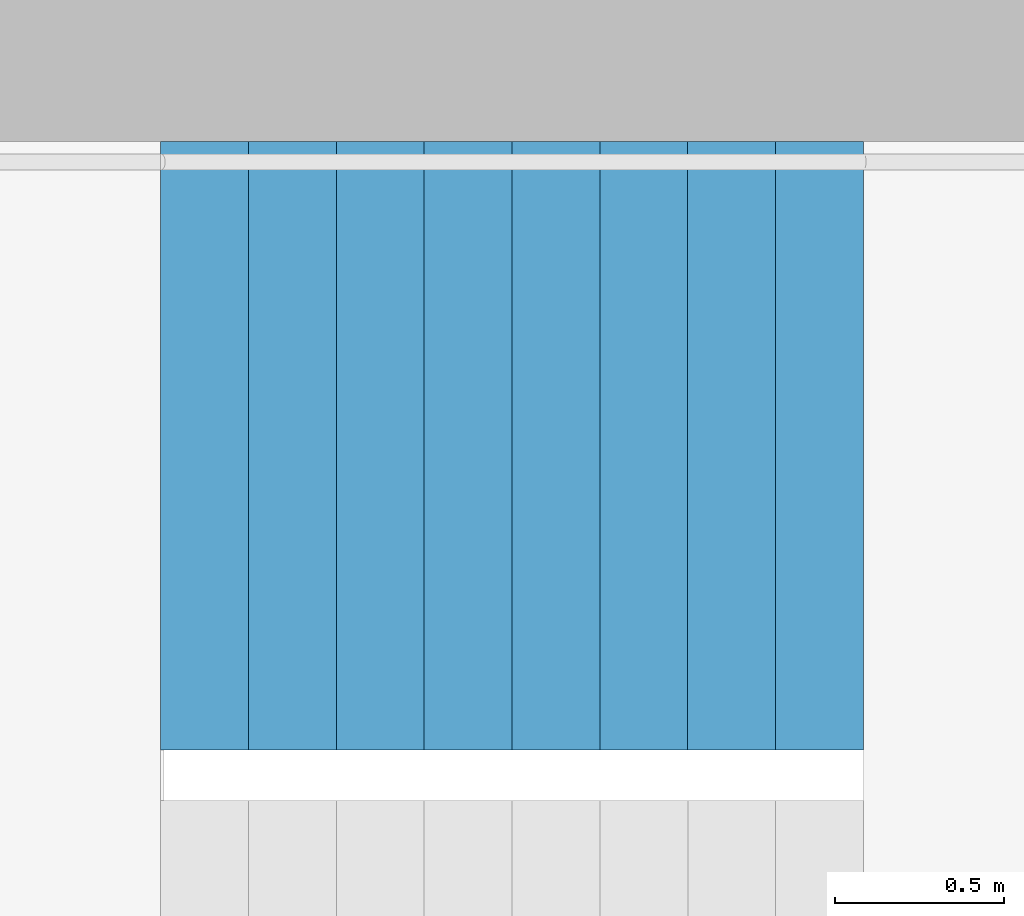
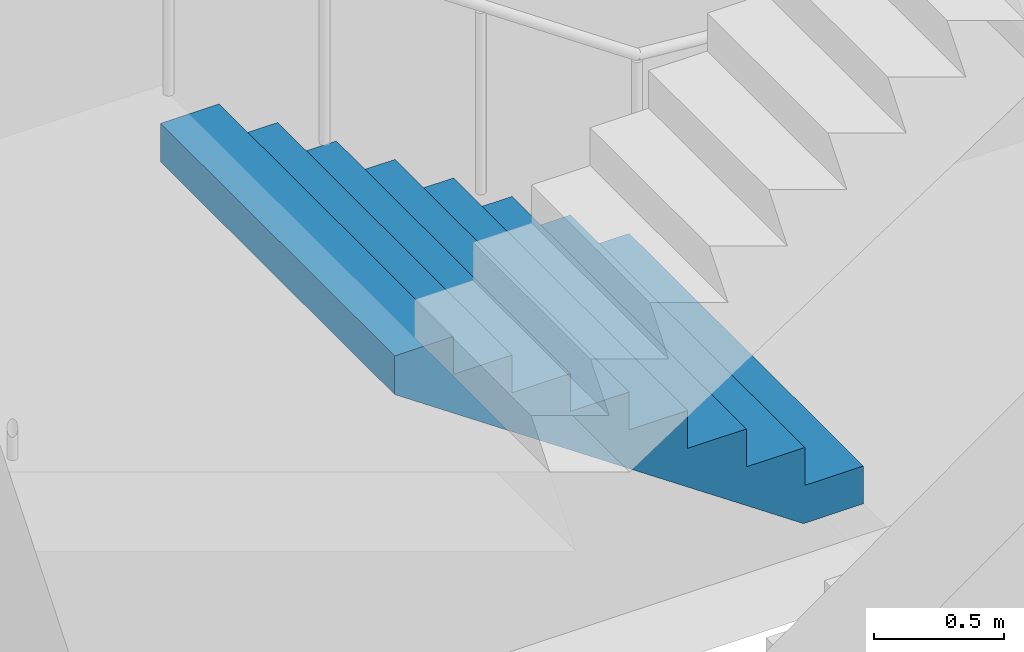
# One storey, part 22 of 42: 1 stair flight, 1 element without a shape of its own.
"""IFC4 building model written with IfcOpenShell, lengths in metres."""

from ifc_helpers import new_model, si_unit, direction, frame, origin, place, context, subcontext, project, spatial, triangles, material, type_object, element, aggregate, save


model = new_model("IFC4")

# Units and contexts
model_context = context("Model", 3, precision=1e-05, world=origin(), true_north=direction((0.0, 1.0)))
body_context = subcontext(model_context, "Body", "Model", "MODEL_VIEW")
ifc_project = project(units=[si_unit("LENGTHUNIT", "METRE"), si_unit("AREAUNIT", "SQUARE_METRE"), si_unit("VOLUMEUNIT", "CUBIC_METRE"), si_unit("PLANEANGLEUNIT", "RADIAN"), si_unit("MASSUNIT", "GRAM", prefix="KILO")], contexts=[model_context])

# Site, building, storey
site_placement = place(None, origin())
site = spatial("IfcSite", under=ifc_project, at=site_placement, CompositionType="ELEMENT")
building_placement = place(site_placement, origin())
building = spatial("IfcBuilding", under=site, at=building_placement, Name="Hakoniwa Tower and Hamabe Station Hall", CompositionType="ELEMENT")
storey_placement = place(building_placement, frame((0.0, 0.0, 232.60009765625)))
storey = spatial("IfcBuildingStorey", under=building, at=storey_placement, Name="L66", CompositionType="ELEMENT", Elevation=232.60009765625)

# Stair, stair flight
ifc_material_1 = material(Name="Concrete C40", Category="concrete")
stair_type = type_object("IfcStairType", Name="ESCAPE STAIR 1800", PredefinedType="HALF_TURN_STAIR", material=ifc_material_1)
stair_placement = place(storey_placement, origin())
stair = element("IfcStair", 1, at=stair_placement, inside=storey, type_object=stair_type, Name="Escape stair ST-1 L66", PredefinedType="HALF_TURN_STAIR")
ifc_material_2 = material(Name="Concrete C40", Category="concrete")
stair_flight_type = type_object("IfcStairFlightType", Name="STAIR FLIGHT 1800", PredefinedType="STRAIGHT", material=ifc_material_2)
stair_flight_placement = place(storey_placement, frame((-22.320068359375, 6.60009765625, 1.599853515625), z_axis=(0.0, 0.0, 1.0), x_axis=(-1.0, 0.0, 0.0)))
stair_flight = element("IfcStairFlight", 2, at=stair_flight_placement, type_object=stair_flight_type, Name="ST-1 flight 2", NumberOfRisers=9, NumberOfTreads=8, PredefinedType="STRAIGHT", RiserHeight=0.177777778, TreadLength=0.26, context=body_context, shape_type="Tessellation", body=[
    triangles([(0.0, 0.89990234375, 0.0), (0.260009765625, 0.89990234375, 0.0), (0.265625, 0.89990234375, 0.0), (0.52001953125, 0.89990234375, 0.174072265625), (0.780029296875, 0.89990234375, 0.351806640625), (1.0400390625, 0.89990234375, 0.529541015625), (1.300048828125, 0.89990234375, 0.707275390625), (1.56005859375, 0.89990234375, 0.885009765625), (1.820068359375, 0.89990234375, 1.062744140625), (2.080078125, 0.89990234375, 1.24072265625), (2.080078125, 0.89990234375, 1.422119140625), (1.820068359375, 0.89990234375, 1.422119140625), (1.820068359375, 0.89990234375, 1.244384765625), (1.56005859375, 0.89990234375, 1.244384765625), (1.56005859375, 0.89990234375, 1.066650390625), (1.300048828125, 0.89990234375, 1.066650390625), (1.300048828125, 0.89990234375, 0.888916015625), (1.0400390625, 0.89990234375, 0.888916015625), (1.0400390625, 0.89990234375, 0.711181640625), (0.780029296875, 0.89990234375, 0.711181640625), (0.780029296875, 0.89990234375, 0.533447265625), (0.52001953125, 0.89990234375, 0.533447265625), (0.52001953125, 0.89990234375, 0.35546875), (0.265625, 0.89990234375, 0.35546875), (0.260009765625, 0.89990234375, 0.35546875), (0.260009765625, 0.89990234375, 0.177734375), (0.0, 0.89990234375, 0.177734375), (0.0, 0.06005859375, 0.0), (0.260009765625, 0.06005859375, 0.0), (0.265625, 0.06005859375, 0.0), (0.52001953125, 0.06005859375, 0.174072265625), (0.780029296875, 0.06005859375, 0.351806640625), (1.0400390625, 0.06005859375, 0.529541015625), (1.300048828125, 0.06005859375, 0.707275390625), (1.56005859375, 0.06005859375, 0.885009765625), (1.820068359375, 0.06005859375, 1.062744140625), (2.080078125, 0.06005859375, 1.24072265625), (2.080078125, 0.06005859375, 1.422119140625), (1.820068359375, 0.06005859375, 1.422119140625), (1.820068359375, 0.06005859375, 1.244384765625), (1.56005859375, 0.06005859375, 1.244384765625), (1.56005859375, 0.06005859375, 1.066650390625), (1.300048828125, 0.06005859375, 1.066650390625), (1.300048828125, 0.06005859375, 0.888916015625), (1.0400390625, 0.06005859375, 0.888916015625), (1.0400390625, 0.06005859375, 0.711181640625), (0.780029296875, 0.06005859375, 0.711181640625), (0.780029296875, 0.06005859375, 0.533447265625), (0.52001953125, 0.06005859375, 0.533447265625), (0.52001953125, 0.06005859375, 0.35546875), (0.265625, 0.06005859375, 0.35546875), (0.260009765625, 0.06005859375, 0.35546875), (0.260009765625, 0.06005859375, 0.177734375), (0.0, 0.06005859375, 0.177734375), (0.0, 0.04296875, 0.0), (0.260009765625, 0.04296875, 0.0), (0.265625, 0.04296875, 0.0), (0.52001953125, 0.04296875, 0.174072265625), (0.780029296875, 0.04296875, 0.351806640625), (1.0400390625, 0.04296875, 0.529541015625), (1.300048828125, 0.04296875, 0.707275390625), (1.56005859375, 0.04296875, 0.885009765625), (1.820068359375, 0.04296875, 1.062744140625), (2.080078125, 0.04296875, 1.24072265625), (2.080078125, 0.04296875, 1.422119140625), (1.820068359375, 0.04296875, 1.422119140625), (1.820068359375, 0.04296875, 1.244384765625), (1.56005859375, 0.04296875, 1.244384765625), (1.56005859375, 0.04296875, 1.066650390625), (1.300048828125, 0.04296875, 1.066650390625), (1.300048828125, 0.04296875, 0.888916015625), (1.0400390625, 0.04296875, 0.888916015625), (1.0400390625, 0.04296875, 0.711181640625), (0.780029296875, 0.04296875, 0.711181640625), (0.780029296875, 0.04296875, 0.533447265625), (0.52001953125, 0.04296875, 0.533447265625), (0.52001953125, 0.04296875, 0.35546875), (0.265625, 0.04296875, 0.35546875), (0.260009765625, 0.04296875, 0.35546875), (0.260009765625, 0.04296875, 0.177734375), (0.0, 0.04296875, 0.177734375), (0.0, 0.025634765625, 0.0), (0.260009765625, 0.025634765625, 0.0), (0.265625, 0.025634765625, 0.0), (0.52001953125, 0.025634765625, 0.174072265625), (0.780029296875, 0.025634765625, 0.351806640625), (1.0400390625, 0.025634765625, 0.529541015625), (1.300048828125, 0.025634765625, 0.707275390625), (1.56005859375, 0.025634765625, 0.885009765625), (1.820068359375, 0.025634765625, 1.062744140625), (2.080078125, 0.025634765625, 1.24072265625), (2.080078125, 0.025634765625, 1.422119140625), (1.820068359375, 0.025634765625, 1.422119140625), (1.820068359375, 0.025634765625, 1.244384765625), (1.56005859375, 0.025634765625, 1.244384765625), (1.56005859375, 0.025634765625, 1.066650390625), (1.300048828125, 0.025634765625, 1.066650390625), (1.300048828125, 0.025634765625, 0.888916015625), (1.0400390625, 0.025634765625, 0.888916015625), (1.0400390625, 0.025634765625, 0.711181640625), (0.780029296875, 0.025634765625, 0.711181640625), (0.780029296875, 0.025634765625, 0.533447265625), (0.52001953125, 0.025634765625, 0.533447265625), (0.52001953125, 0.025634765625, 0.35546875), (0.265625, 0.025634765625, 0.35546875), (0.260009765625, 0.025634765625, 0.35546875), (0.260009765625, 0.025634765625, 0.177734375), (0.0, 0.025634765625, 0.177734375), (0.0, 0.008544921875, 0.0), (0.260009765625, 0.008544921875, 0.0), (0.265625, 0.008544921875, 0.0), (0.52001953125, 0.008544921875, 0.174072265625), (0.780029296875, 0.008544921875, 0.351806640625), (1.0400390625, 0.008544921875, 0.529541015625), (1.300048828125, 0.008544921875, 0.707275390625), (1.56005859375, 0.008544921875, 0.885009765625), (1.820068359375, 0.008544921875, 1.062744140625), (2.080078125, 0.008544921875, 1.24072265625), (2.080078125, 0.008544921875, 1.422119140625), (1.820068359375, 0.008544921875, 1.422119140625), (1.820068359375, 0.008544921875, 1.244384765625), (1.56005859375, 0.008544921875, 1.244384765625), (1.56005859375, 0.008544921875, 1.066650390625), (1.300048828125, 0.008544921875, 1.066650390625), (1.300048828125, 0.008544921875, 0.888916015625), (1.0400390625, 0.008544921875, 0.888916015625), (1.0400390625, 0.008544921875, 0.711181640625), (0.780029296875, 0.008544921875, 0.711181640625), (0.780029296875, 0.008544921875, 0.533447265625), (0.52001953125, 0.008544921875, 0.533447265625), (0.52001953125, 0.008544921875, 0.35546875), (0.265625, 0.008544921875, 0.35546875), (0.260009765625, 0.008544921875, 0.35546875), (0.260009765625, 0.008544921875, 0.177734375), (0.0, 0.008544921875, 0.177734375), (0.0, -0.008544921875, 0.0), (0.260009765625, -0.008544921875, 0.0), (0.265625, -0.008544921875, 0.0), (0.52001953125, -0.008544921875, 0.174072265625), (0.780029296875, -0.008544921875, 0.351806640625), (1.0400390625, -0.008544921875, 0.529541015625), (1.300048828125, -0.008544921875, 0.707275390625), (1.56005859375, -0.008544921875, 0.885009765625), (1.820068359375, -0.008544921875, 1.062744140625), (2.080078125, -0.008544921875, 1.24072265625), (2.080078125, -0.008544921875, 1.422119140625), (1.820068359375, -0.008544921875, 1.422119140625), (1.820068359375, -0.008544921875, 1.244384765625), (1.56005859375, -0.008544921875, 1.244384765625), (1.56005859375, -0.008544921875, 1.066650390625), (1.300048828125, -0.008544921875, 1.066650390625), (1.300048828125, -0.008544921875, 0.888916015625), (1.0400390625, -0.008544921875, 0.888916015625), (1.0400390625, -0.008544921875, 0.711181640625), (0.780029296875, -0.008544921875, 0.711181640625), (0.780029296875, -0.008544921875, 0.533447265625), (0.52001953125, -0.008544921875, 0.533447265625), (0.52001953125, -0.008544921875, 0.35546875), (0.265625, -0.008544921875, 0.35546875), (0.260009765625, -0.008544921875, 0.35546875), (0.260009765625, -0.008544921875, 0.177734375), (0.0, -0.008544921875, 0.177734375), (0.0, -0.025634765625, 0.0), (0.260009765625, -0.025634765625, 0.0), (0.265625, -0.025634765625, 0.0), (0.52001953125, -0.025634765625, 0.174072265625), (0.780029296875, -0.025634765625, 0.351806640625), (1.0400390625, -0.025634765625, 0.529541015625), (1.300048828125, -0.025634765625, 0.707275390625), (1.56005859375, -0.025634765625, 0.885009765625), (1.820068359375, -0.025634765625, 1.062744140625), (2.080078125, -0.025634765625, 1.24072265625), (2.080078125, -0.025634765625, 1.422119140625), (1.820068359375, -0.025634765625, 1.422119140625), (1.820068359375, -0.025634765625, 1.244384765625), (1.56005859375, -0.025634765625, 1.244384765625), (1.56005859375, -0.025634765625, 1.066650390625), (1.300048828125, -0.025634765625, 1.066650390625), (1.300048828125, -0.025634765625, 0.888916015625), (1.0400390625, -0.025634765625, 0.888916015625), (1.0400390625, -0.025634765625, 0.711181640625), (0.780029296875, -0.025634765625, 0.711181640625), (0.780029296875, -0.025634765625, 0.533447265625), (0.52001953125, -0.025634765625, 0.533447265625), (0.52001953125, -0.025634765625, 0.35546875), (0.265625, -0.025634765625, 0.35546875), (0.260009765625, -0.025634765625, 0.35546875), (0.260009765625, -0.025634765625, 0.177734375), (0.0, -0.025634765625, 0.177734375), (0.0, -0.04296875, 0.0), (0.260009765625, -0.04296875, 0.0), (0.265625, -0.04296875, 0.0), (0.52001953125, -0.04296875, 0.174072265625), (0.780029296875, -0.04296875, 0.351806640625), (1.0400390625, -0.04296875, 0.529541015625), (1.300048828125, -0.04296875, 0.707275390625), (1.56005859375, -0.04296875, 0.885009765625), (1.820068359375, -0.04296875, 1.062744140625), (2.080078125, -0.04296875, 1.24072265625), (2.080078125, -0.04296875, 1.422119140625), (1.820068359375, -0.04296875, 1.422119140625), (1.820068359375, -0.04296875, 1.244384765625), (1.56005859375, -0.04296875, 1.244384765625), (1.56005859375, -0.04296875, 1.066650390625), (1.300048828125, -0.04296875, 1.066650390625), (1.300048828125, -0.04296875, 0.888916015625), (1.0400390625, -0.04296875, 0.888916015625), (1.0400390625, -0.04296875, 0.711181640625), (0.780029296875, -0.04296875, 0.711181640625), (0.780029296875, -0.04296875, 0.533447265625), (0.52001953125, -0.04296875, 0.533447265625), (0.52001953125, -0.04296875, 0.35546875), (0.265625, -0.04296875, 0.35546875), (0.260009765625, -0.04296875, 0.35546875), (0.260009765625, -0.04296875, 0.177734375), (0.0, -0.04296875, 0.177734375), (0.0, -0.06005859375, 0.0), (0.260009765625, -0.06005859375, 0.0), (0.265625, -0.06005859375, 0.0), (0.52001953125, -0.06005859375, 0.174072265625), (0.780029296875, -0.06005859375, 0.351806640625), (1.0400390625, -0.06005859375, 0.529541015625), (1.300048828125, -0.06005859375, 0.707275390625), (1.56005859375, -0.06005859375, 0.885009765625), (1.820068359375, -0.06005859375, 1.062744140625), (2.080078125, -0.06005859375, 1.24072265625), (2.080078125, -0.06005859375, 1.422119140625), (1.820068359375, -0.06005859375, 1.422119140625), (1.820068359375, -0.06005859375, 1.244384765625), (1.56005859375, -0.06005859375, 1.244384765625), (1.56005859375, -0.06005859375, 1.066650390625), (1.300048828125, -0.06005859375, 1.066650390625), (1.300048828125, -0.06005859375, 0.888916015625), (1.0400390625, -0.06005859375, 0.888916015625), (1.0400390625, -0.06005859375, 0.711181640625), (0.780029296875, -0.06005859375, 0.711181640625), (0.780029296875, -0.06005859375, 0.533447265625), (0.52001953125, -0.06005859375, 0.533447265625), (0.52001953125, -0.06005859375, 0.35546875), (0.265625, -0.06005859375, 0.35546875), (0.260009765625, -0.06005859375, 0.35546875), (0.260009765625, -0.06005859375, 0.177734375), (0.0, -0.06005859375, 0.177734375), (0.0, -0.89990234375, 0.0), (0.260009765625, -0.89990234375, 0.0), (0.265625, -0.89990234375, 0.0), (0.52001953125, -0.89990234375, 0.174072265625), (0.780029296875, -0.89990234375, 0.351806640625), (1.0400390625, -0.89990234375, 0.529541015625), (1.300048828125, -0.89990234375, 0.707275390625), (1.56005859375, -0.89990234375, 0.885009765625), (1.820068359375, -0.89990234375, 1.062744140625), (2.080078125, -0.89990234375, 1.24072265625), (2.080078125, -0.89990234375, 1.422119140625), (1.820068359375, -0.89990234375, 1.422119140625), (1.820068359375, -0.89990234375, 1.244384765625), (1.56005859375, -0.89990234375, 1.244384765625), (1.56005859375, -0.89990234375, 1.066650390625), (1.300048828125, -0.89990234375, 1.066650390625), (1.300048828125, -0.89990234375, 0.888916015625), (1.0400390625, -0.89990234375, 0.888916015625), (1.0400390625, -0.89990234375, 0.711181640625), (0.780029296875, -0.89990234375, 0.711181640625), (0.780029296875, -0.89990234375, 0.533447265625), (0.52001953125, -0.89990234375, 0.533447265625), (0.52001953125, -0.89990234375, 0.35546875), (0.265625, -0.89990234375, 0.35546875), (0.260009765625, -0.89990234375, 0.35546875), (0.260009765625, -0.89990234375, 0.177734375), (0.0, -0.89990234375, 0.177734375)], [[2, 27, 26], [245, 269, 270], [2, 1, 27], [245, 270, 244], [3, 25, 24], [246, 267, 268], [3, 26, 25], [246, 268, 269], [3, 2, 26], [246, 269, 245], [4, 24, 23], [247, 266, 267], [4, 3, 24], [247, 267, 246], [5, 22, 21], [248, 264, 265], [5, 23, 22], [248, 265, 266], [5, 4, 23], [248, 266, 247], [6, 20, 19], [249, 262, 263], [6, 21, 20], [249, 263, 264], [6, 5, 21], [249, 264, 248], [7, 18, 17], [250, 260, 261], [7, 19, 18], [250, 261, 262], [7, 6, 19], [250, 262, 249], [8, 16, 15], [251, 258, 259], [8, 17, 16], [251, 259, 260], [8, 7, 17], [251, 260, 250], [9, 14, 13], [252, 256, 257], [9, 15, 14], [252, 257, 258], [9, 8, 15], [252, 258, 251], [10, 12, 11], [253, 254, 255], [10, 13, 12], [253, 255, 256], [10, 9, 13], [253, 256, 252], [1, 2, 29], [1, 29, 28], [28, 29, 56], [28, 56, 55], [55, 56, 83], [55, 83, 82], [82, 83, 110], [82, 110, 109], [109, 110, 137], [109, 137, 136], [136, 137, 164], [136, 164, 163], [163, 164, 191], [163, 191, 190], [190, 191, 218], [190, 218, 217], [217, 218, 245], [217, 245, 244], [2, 3, 30], [2, 30, 29], [29, 30, 57], [29, 57, 56], [56, 57, 84], [56, 84, 83], [83, 84, 111], [83, 111, 110], [110, 111, 138], [110, 138, 137], [137, 138, 165], [137, 165, 164], [164, 165, 192], [164, 192, 191], [191, 192, 219], [191, 219, 218], [218, 219, 246], [218, 246, 245], [3, 4, 31], [3, 31, 30], [30, 31, 58], [30, 58, 57], [57, 58, 85], [57, 85, 84], [84, 85, 112], [84, 112, 111], [111, 112, 139], [111, 139, 138], [138, 139, 166], [138, 166, 165], [165, 166, 193], [165, 193, 192], [192, 193, 220], [192, 220, 219], [219, 220, 247], [219, 247, 246], [4, 5, 32], [4, 32, 31], [31, 32, 59], [31, 59, 58], [58, 59, 86], [58, 86, 85], [85, 86, 113], [85, 113, 112], [112, 113, 140], [112, 140, 139], [139, 140, 167], [139, 167, 166], [166, 167, 194], [166, 194, 193], [193, 194, 221], [193, 221, 220], [220, 221, 248], [220, 248, 247], [5, 6, 33], [5, 33, 32], [32, 33, 60], [32, 60, 59], [59, 60, 87], [59, 87, 86], [86, 87, 114], [86, 114, 113], [113, 114, 141], [113, 141, 140], [140, 141, 168], [140, 168, 167], [167, 168, 195], [167, 195, 194], [194, 195, 222], [194, 222, 221], [221, 222, 249], [221, 249, 248], [6, 7, 34], [6, 34, 33], [33, 34, 61], [33, 61, 60], [60, 61, 88], [60, 88, 87], [87, 88, 115], [87, 115, 114], [114, 115, 142], [114, 142, 141], [141, 142, 169], [141, 169, 168], [168, 169, 196], [168, 196, 195], [195, 196, 223], [195, 223, 222], [222, 223, 250], [222, 250, 249], [7, 8, 35], [7, 35, 34], [34, 35, 62], [34, 62, 61], [61, 62, 89], [61, 89, 88], [88, 89, 116], [88, 116, 115], [115, 116, 143], [115, 143, 142], [142, 143, 170], [142, 170, 169], [169, 170, 197], [169, 197, 196], [196, 197, 224], [196, 224, 223], [223, 224, 251], [223, 251, 250], [8, 9, 36], [8, 36, 35], [35, 36, 63], [35, 63, 62], [62, 63, 90], [62, 90, 89], [89, 90, 117], [89, 117, 116], [116, 117, 144], [116, 144, 143], [143, 144, 171], [143, 171, 170], [170, 171, 198], [170, 198, 197], [197, 198, 225], [197, 225, 224], [224, 225, 252], [224, 252, 251], [9, 10, 37], [9, 37, 36], [36, 37, 64], [36, 64, 63], [63, 64, 91], [63, 91, 90], [90, 91, 118], [90, 118, 117], [117, 118, 145], [117, 145, 144], [144, 145, 172], [144, 172, 171], [171, 172, 199], [171, 199, 198], [198, 199, 226], [198, 226, 225], [225, 226, 253], [225, 253, 252], [10, 11, 38], [10, 38, 37], [37, 38, 65], [37, 65, 64], [64, 65, 92], [64, 92, 91], [91, 92, 119], [91, 119, 118], [118, 119, 146], [118, 146, 145], [145, 146, 173], [145, 173, 172], [172, 173, 200], [172, 200, 199], [199, 200, 227], [199, 227, 226], [226, 227, 254], [226, 254, 253], [11, 12, 39], [11, 39, 38], [38, 39, 66], [38, 66, 65], [65, 66, 93], [65, 93, 92], [92, 93, 120], [92, 120, 119], [119, 120, 147], [119, 147, 146], [146, 147, 174], [146, 174, 173], [173, 174, 201], [173, 201, 200], [200, 201, 228], [200, 228, 227], [227, 228, 255], [227, 255, 254], [12, 13, 40], [12, 40, 39], [39, 40, 67], [39, 67, 66], [66, 67, 94], [66, 94, 93], [93, 94, 121], [93, 121, 120], [120, 121, 148], [120, 148, 147], [147, 148, 175], [147, 175, 174], [174, 175, 202], [174, 202, 201], [201, 202, 229], [201, 229, 228], [228, 229, 256], [228, 256, 255], [13, 14, 41], [13, 41, 40], [40, 41, 68], [40, 68, 67], [67, 68, 95], [67, 95, 94], [94, 95, 122], [94, 122, 121], [121, 122, 149], [121, 149, 148], [148, 149, 176], [148, 176, 175], [175, 176, 203], [175, 203, 202], [202, 203, 230], [202, 230, 229], [229, 230, 257], [229, 257, 256], [14, 15, 42], [14, 42, 41], [41, 42, 69], [41, 69, 68], [68, 69, 96], [68, 96, 95], [95, 96, 123], [95, 123, 122], [122, 123, 150], [122, 150, 149], [149, 150, 177], [149, 177, 176], [176, 177, 204], [176, 204, 203], [203, 204, 231], [203, 231, 230], [230, 231, 258], [230, 258, 257], [15, 16, 43], [15, 43, 42], [42, 43, 70], [42, 70, 69], [69, 70, 97], [69, 97, 96], [96, 97, 124], [96, 124, 123], [123, 124, 151], [123, 151, 150], [150, 151, 178], [150, 178, 177], [177, 178, 205], [177, 205, 204], [204, 205, 232], [204, 232, 231], [231, 232, 259], [231, 259, 258], [16, 17, 44], [16, 44, 43], [43, 44, 71], [43, 71, 70], [70, 71, 98], [70, 98, 97], [97, 98, 125], [97, 125, 124], [124, 125, 152], [124, 152, 151], [151, 152, 179], [151, 179, 178], [178, 179, 206], [178, 206, 205], [205, 206, 233], [205, 233, 232], [232, 233, 260], [232, 260, 259], [17, 18, 45], [17, 45, 44], [44, 45, 72], [44, 72, 71], [71, 72, 99], [71, 99, 98], [98, 99, 126], [98, 126, 125], [125, 126, 153], [125, 153, 152], [152, 153, 180], [152, 180, 179], [179, 180, 207], [179, 207, 206], [206, 207, 234], [206, 234, 233], [233, 234, 261], [233, 261, 260], [18, 19, 46], [18, 46, 45], [45, 46, 73], [45, 73, 72], [72, 73, 100], [72, 100, 99], [99, 100, 127], [99, 127, 126], [126, 127, 154], [126, 154, 153], [153, 154, 181], [153, 181, 180], [180, 181, 208], [180, 208, 207], [207, 208, 235], [207, 235, 234], [234, 235, 262], [234, 262, 261], [19, 20, 47], [19, 47, 46], [46, 47, 74], [46, 74, 73], [73, 74, 101], [73, 101, 100], [100, 101, 128], [100, 128, 127], [127, 128, 155], [127, 155, 154], [154, 155, 182], [154, 182, 181], [181, 182, 209], [181, 209, 208], [208, 209, 236], [208, 236, 235], [235, 236, 263], [235, 263, 262], [20, 21, 48], [20, 48, 47], [47, 48, 75], [47, 75, 74], [74, 75, 102], [74, 102, 101], [101, 102, 129], [101, 129, 128], [128, 129, 156], [128, 156, 155], [155, 156, 183], [155, 183, 182], [182, 183, 210], [182, 210, 209], [209, 210, 237], [209, 237, 236], [236, 237, 264], [236, 264, 263], [21, 22, 49], [21, 49, 48], [48, 49, 76], [48, 76, 75], [75, 76, 103], [75, 103, 102], [102, 103, 130], [102, 130, 129], [129, 130, 157], [129, 157, 156], [156, 157, 184], [156, 184, 183], [183, 184, 211], [183, 211, 210], [210, 211, 238], [210, 238, 237], [237, 238, 265], [237, 265, 264], [22, 23, 50], [22, 50, 49], [49, 50, 77], [49, 77, 76], [76, 77, 104], [76, 104, 103], [103, 104, 131], [103, 131, 130], [130, 131, 158], [130, 158, 157], [157, 158, 185], [157, 185, 184], [184, 185, 212], [184, 212, 211], [211, 212, 239], [211, 239, 238], [238, 239, 266], [238, 266, 265], [23, 24, 51], [23, 51, 50], [50, 51, 78], [50, 78, 77], [77, 78, 105], [77, 105, 104], [104, 105, 132], [104, 132, 131], [131, 132, 159], [131, 159, 158], [158, 159, 186], [158, 186, 185], [185, 186, 213], [185, 213, 212], [212, 213, 240], [212, 240, 239], [239, 240, 267], [239, 267, 266], [24, 25, 52], [24, 52, 51], [51, 52, 79], [51, 79, 78], [78, 79, 106], [78, 106, 105], [105, 106, 133], [105, 133, 132], [132, 133, 160], [132, 160, 159], [159, 160, 187], [159, 187, 186], [186, 187, 214], [186, 214, 213], [213, 214, 241], [213, 241, 240], [240, 241, 268], [240, 268, 267], [25, 26, 53], [25, 53, 52], [52, 53, 80], [52, 80, 79], [79, 80, 107], [79, 107, 106], [106, 107, 134], [106, 134, 133], [133, 134, 161], [133, 161, 160], [160, 161, 188], [160, 188, 187], [187, 188, 215], [187, 215, 214], [214, 215, 242], [214, 242, 241], [241, 242, 269], [241, 269, 268], [26, 27, 54], [26, 54, 53], [53, 54, 81], [53, 81, 80], [80, 81, 108], [80, 108, 107], [107, 108, 135], [107, 135, 134], [134, 135, 162], [134, 162, 161], [161, 162, 189], [161, 189, 188], [188, 189, 216], [188, 216, 215], [215, 216, 243], [215, 243, 242], [242, 243, 270], [242, 270, 269], [27, 1, 28], [27, 28, 54], [54, 28, 55], [54, 55, 81], [81, 55, 82], [81, 82, 108], [108, 82, 109], [108, 109, 135], [135, 109, 136], [135, 136, 162], [162, 136, 163], [162, 163, 189], [189, 163, 190], [189, 190, 216], [216, 190, 217], [216, 217, 243], [243, 217, 244], [243, 244, 270]], closed=True),
])
aggregate(stair, [stair_flight])

save(model, "model.ifc")
